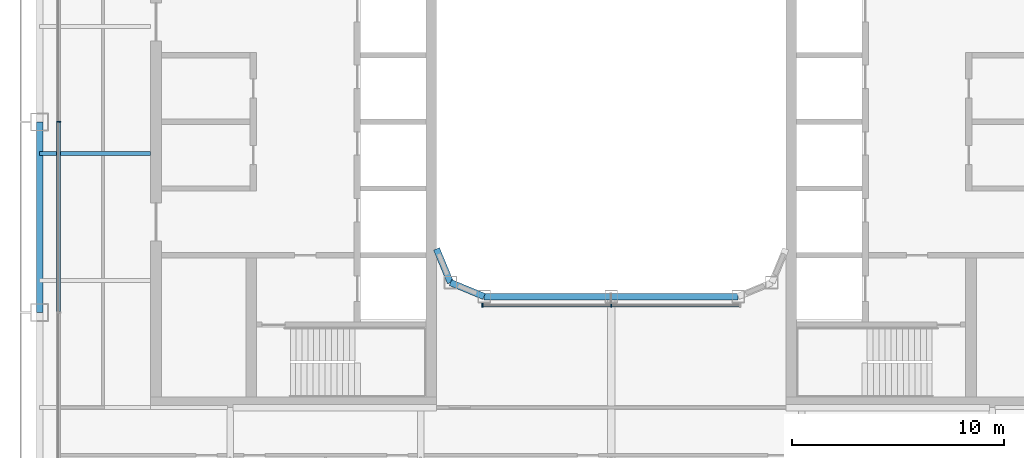
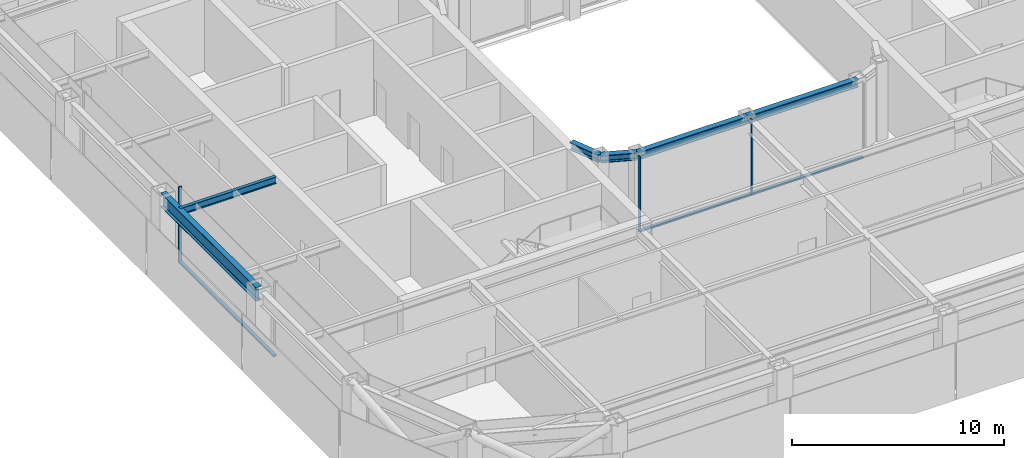
# One storey, part 3 of 19: 6 beams, 6 members, 2 elements without a shape of their own.
"""IFC4 building model written with IfcOpenShell, lengths in metres."""

from ifc_helpers import new_model, si_unit, direction, frame, origin, origin_2d, place, context, subcontext, project, spatial, rectangle, i_section, extrude, material, layer, layer_set, material_profile, profile_set, type_object, element, aggregate, save


model = new_model("IFC4")

# Units and contexts
model_context = context("Model", 3, precision=1e-05, world=origin(), true_north=direction((0.0, 1.0)))
body_context = subcontext(model_context, "Body", "Model", "MODEL_VIEW")
ifc_project = project(units=[si_unit("LENGTHUNIT", "METRE"), si_unit("AREAUNIT", "SQUARE_METRE"), si_unit("VOLUMEUNIT", "CUBIC_METRE"), si_unit("PLANEANGLEUNIT", "RADIAN"), si_unit("MASSUNIT", "GRAM", prefix="KILO")], contexts=[model_context])

# Site, building, storey
site_placement = place(None, origin())
site = spatial("IfcSite", under=ifc_project, at=site_placement, CompositionType="ELEMENT")
building_placement = place(site_placement, origin())
building = spatial("IfcBuilding", under=site, at=building_placement, Name="Siwar Civic Tower", CompositionType="ELEMENT")
storey_placement = place(building_placement, frame((0.0, 0.0, 228.699951171875)))
storey = spatial("IfcBuildingStorey", under=building, at=storey_placement, Name="L49", CompositionType="ELEMENT", Elevation=228.699951171875)

# Curtain wall, member
ifc_material_1 = material(Name="Aluminium and glass", Category="aluminium")
ifc_layer_1 = layer(ifc_material_1, 0.179931640625)
ifc_layer_set_1 = layer_set([ifc_layer_1], Name="Aluminium and glass")
curtain_wall_type_1 = type_object("IfcCurtainWallType", Name="ENV-CW-C", PredefinedType="NOTDEFINED", material=ifc_layer_set_1)
curtain_wall_1_placement = place(storey_placement, origin())
curtain_wall_1 = element("IfcCurtainWall", 1, at=curtain_wall_1_placement, inside=storey, type_object=curtain_wall_type_1, Name="Curtain wall C W", PredefinedType="NOTDEFINED")
ifc_material_2 = material(Name="Aluminium 6063-T6", Category="aluminium")
ifc_material_profile_1 = material_profile(ifc_material_2, rectangle(XDim=0.179931640625, YDim=0.06005859375, at=origin_2d()), Name="AL 180x60")
ifc_profile_set_1 = profile_set([ifc_material_profile_1], Name="Aluminium 6063-T6")
member_type_1 = type_object("IfcMemberType", Name="ENV-MULLION-C", PredefinedType="MULLION", material=ifc_profile_set_1)
member_1_placement = place(storey_placement, frame((-26.10009765625, 0.0, 0.0), z_axis=(0.0, 0.0, 1.0), x_axis=(1.0, 0.0, 0.0)))
member_1 = element("IfcMember", 2, at=member_1_placement, type_object=member_type_1, Name="Mullion C W 3", PredefinedType="MULLION", context=body_context, shape_type="SweptSolid", body=[
    extrude(rectangle(XDim=0.179931640625, YDim=0.06005859375, at=origin_2d()), origin(), (0.0, 0.0, 1.0), 4.35009765625),
])

# Curtain wall, members
ifc_material_3 = material(Name="Aluminium and glass", Category="aluminium")
ifc_layer_2 = layer(ifc_material_3, 0.179931640625)
ifc_layer_set_2 = layer_set([ifc_layer_2], Name="Aluminium and glass")
curtain_wall_type_2 = type_object("IfcCurtainWallType", Name="ENV-CW-W", PredefinedType="NOTDEFINED", material=ifc_layer_set_2)
curtain_wall_2_placement = place(storey_placement, origin())
curtain_wall_2 = element("IfcCurtainWall", 3, at=curtain_wall_2_placement, inside=storey, type_object=curtain_wall_type_2, Name="Curtain wall W WS", PredefinedType="NOTDEFINED")
ifc_material_4 = material(Name="Aluminium 6063-T6", Category="aluminium")
ifc_material_profile_2 = material_profile(ifc_material_4, rectangle(XDim=0.179931640625, YDim=0.06005859375, at=origin_2d()), Name="AL 180x60")
ifc_profile_set_2 = profile_set([ifc_material_profile_2], Name="Aluminium 6063-T6")
member_type_2 = type_object("IfcMemberType", Name="ENV-MULLION-W", PredefinedType="MULLION", material=ifc_profile_set_2)
member_2_placement = place(storey_placement, frame((-6.08154296875, -8.659912109375, 0.0), z_axis=(0.0, 0.0, 1.0), x_axis=(0.0, 1.0, 0.0)))
member_2 = element("IfcMember", 4, at=member_2_placement, type_object=member_type_2, Name="Mullion W WS 1", PredefinedType="MULLION", context=body_context, shape_type="SweptSolid", body=[
    extrude(rectangle(XDim=0.179931640625, YDim=0.06005859375, at=origin_2d()), origin(), (0.0, 0.0, 1.0), 4.35009765625),
])
member_3_placement = place(storey_placement, frame((0.0, -8.659912109375, 0.0), z_axis=(0.0, 0.0, 1.0), x_axis=(0.0, 1.0, 0.0)))
member_3 = element("IfcMember", 5, at=member_3_placement, type_object=member_type_2, Name="Mullion W WS 2", PredefinedType="MULLION", context=body_context, shape_type="SweptSolid", body=[
    extrude(rectangle(XDim=0.179931640625, YDim=0.06005859375, at=origin_2d()), origin(), (0.0, 0.0, 1.0), 4.35009765625),
])

# Member
ifc_material_5 = material(Name="Aluminium 6063-T6", Category="aluminium")
ifc_material_profile_3 = material_profile(ifc_material_5, rectangle(XDim=0.179931640625, YDim=0.10009765625, at=origin_2d()), Name="AL 180x100")
ifc_profile_set_3 = profile_set([ifc_material_profile_3], Name="Aluminium 6063-T6")
member_type_3 = type_object("IfcMemberType", Name="ENV-TRANSOM-C", PredefinedType="USERDEFINED", material=ifc_profile_set_3)
member_4_placement = place(storey_placement, frame((-26.10009765625, -0.030029296875, 0.050048828125), z_axis=(0.0, -1.0, 0.0), x_axis=(1.0, 0.0, 0.0)))
member_4 = element("IfcMember", 6, at=member_4_placement, type_object=member_type_3, Name="Transom C W 3", ObjectType="TRANSOM", PredefinedType="USERDEFINED", context=body_context, shape_type="SweptSolid", body=[
    extrude(rectangle(XDim=0.179931640625, YDim=0.10009765625, at=origin_2d()), origin(), (0.0, 0.0, 1.0), 8.93994140625),
])

aggregate(curtain_wall_1, [member_1, member_4])

ifc_material_6 = material(Name="Aluminium 6063-T6", Category="aluminium")
ifc_material_profile_4 = material_profile(ifc_material_6, rectangle(XDim=0.179931640625, YDim=0.10009765625, at=origin_2d()), Name="AL 180x100")
ifc_profile_set_4 = profile_set([ifc_material_profile_4], Name="Aluminium 6063-T6")
member_type_4 = type_object("IfcMemberType", Name="ENV-TRANSOM-W", PredefinedType="USERDEFINED", material=ifc_profile_set_4)
member_5_placement = place(storey_placement, frame((-6.051513671875, -8.659912109375, 0.050048828125), z_axis=(1.0, 0.0, 0.0), x_axis=(0.0, 1.0, 0.0)))
member_5 = element("IfcMember", 7, at=member_5_placement, type_object=member_type_4, Name="Transom W WS 1", ObjectType="TRANSOM", PredefinedType="USERDEFINED", context=body_context, shape_type="SweptSolid", body=[
    extrude(rectangle(XDim=0.179931640625, YDim=0.10009765625, at=origin_2d()), origin(), (0.0, 0.0, 1.0), 6.021484375),
])

member_6_placement = place(storey_placement, frame((0.030029296875, -8.659912109375, 0.050048828125), z_axis=(1.0, 0.0, 0.0), x_axis=(0.0, 1.0, 0.0)))
member_6 = element("IfcMember", 8, at=member_6_placement, type_object=member_type_4, Name="Transom W WS 2", ObjectType="TRANSOM", PredefinedType="USERDEFINED", context=body_context, shape_type="SweptSolid", body=[
    extrude(rectangle(XDim=0.179931640625, YDim=0.10009765625, at=origin_2d()), origin(), (0.0, 0.0, 1.0), 6.021484375),
])

aggregate(curtain_wall_2, [member_2, member_3, member_5, member_6])

# Beams
ifc_material_7 = material(Name="Steel S355", Category="steel")
ifc_material_profile_5 = material_profile(ifc_material_7, i_section(OverallWidth=0.179931640625, OverallDepth=0.39990234375, WebThickness=0.008544921875, FlangeThickness=0.013427734375, FilletRadius=0.02099609375, at=origin_2d()), Name="IPE400")
ifc_profile_set_5 = profile_set([ifc_material_profile_5], Name="Steel S355")
beam_type_1 = type_object("IfcBeamType", Name="STR-FB-IPE400", PredefinedType="JOIST", material=ifc_profile_set_5)
beam_1_placement = place(storey_placement, frame((-27.0, -1.5, 4.150146484375), z_axis=(1.0, 0.0, 0.0), x_axis=(0.0, 1.0, 0.0)))
element("IfcBeam", 9, at=beam_1_placement, inside=storey, type_object=beam_type_1, Name="L49/bm/F023", PredefinedType="JOIST", context=body_context, shape_type="SweptSolid", body=[
    extrude(i_section(OverallWidth=0.179931640625, OverallDepth=0.39990234375, WebThickness=0.008544921875, FlangeThickness=0.013427734375, FilletRadius=0.02099609375, at=origin_2d()), origin(), (0.0, 0.0, 1.0), 5.25),
])
ifc_material_8 = material(Name="Steel S355", Category="steel")
ifc_material_profile_6 = material_profile(ifc_material_8, i_section(OverallWidth=0.306884765625, OverallDepth=0.431884765625, WebThickness=0.02099609375, FlangeThickness=0.0400390625, FilletRadius=0.027099609375, at=origin_2d()), Name="HEM400")
ifc_profile_set_6 = profile_set([ifc_material_profile_6], Name="Steel S355")
beam_type_2 = type_object("IfcBeamType", Name="STR-RB-HEM400", PredefinedType="BEAM", material=ifc_profile_set_6)
beam_2_placement = place(storey_placement, frame((-7.591064453125, -7.591064453125, 4.134033203125), z_axis=(0.923901072997, -0.382631424892, 0.0), x_axis=(0.382631424892, 0.923901072997, 0.0)))
element("IfcBeam", 10, at=beam_2_placement, inside=storey, type_object=beam_type_2, Name="L49/bm/RS0", PredefinedType="BEAM", context=body_context, shape_type="SweptSolid", body=[
    extrude(i_section(OverallWidth=0.306884765625, OverallDepth=0.431884765625, WebThickness=0.02099609375, FlangeThickness=0.0400390625, FilletRadius=0.027099609375, at=origin_2d()), origin(), (0.0, 0.0, 1.0), 1.72216796875),
])
for number, where, z_axis, x_axis, name in (
    (11, (-6.0, -8.25, 4.134033203125), (1.0, 0.0, 0.0), (0.0, 1.0, 0.0), "L49/bm/RS1"),
    (12, (0.0, -8.25, 4.134033203125), (1.0, 0.0, 0.0), (0.0, 1.0, 0.0), "L49/bm/RS2"),
):
    element("IfcBeam", number, at=place(storey_placement, frame(where, z_axis=z_axis, x_axis=x_axis)), inside=storey, type_object=beam_type_2, Name=name, PredefinedType="BEAM", context=body_context, shape_type="SweptSolid", body=[
        extrude(i_section(OverallWidth=0.306884765625, OverallDepth=0.431884765625, WebThickness=0.02099609375, FlangeThickness=0.0400390625, FilletRadius=0.027099609375, at=origin_2d()), origin(), (0.0, 0.0, 1.0), 6.0),
    ])
beam_3_placement = place(storey_placement, frame((-7.591064453125, -7.591064453125, 4.134033203125), z_axis=(-0.382631424892, 0.923901072997, 0.0), x_axis=(-0.923901072997, -0.382631424892, 0.0)))
element("IfcBeam", 13, at=beam_3_placement, inside=storey, type_object=beam_type_2, Name="L49/bm/RSEW", PredefinedType="BEAM", context=body_context, shape_type="SweptSolid", body=[
    extrude(i_section(OverallWidth=0.306884765625, OverallDepth=0.431884765625, WebThickness=0.02099609375, FlangeThickness=0.0400390625, FilletRadius=0.027099609375, at=origin_2d()), origin(), (0.0, 0.0, 1.0), 1.72216796875),
])
ifc_material_9 = material(Name="Steel S355", Category="steel")
ifc_material_profile_7 = material_profile(ifc_material_9, i_section(OverallWidth=0.300048828125, OverallDepth=0.800048828125, WebThickness=0.017578125, FlangeThickness=0.032958984375, FilletRadius=0.030029296875, at=origin_2d()), Name="HEB800")
ifc_profile_set_7 = profile_set([ifc_material_profile_7], Name="Steel S355")
beam_type_3 = type_object("IfcBeamType", Name="STR-SB-HEB800", PredefinedType="BEAM", material=ifc_profile_set_7)
beam_4_placement = place(storey_placement, frame((-27.0, 0.0, 3.949951171875), z_axis=(0.0, -1.0, 0.0), x_axis=(1.0, 0.0, 0.0)))
element("IfcBeam", 14, at=beam_4_placement, inside=storey, type_object=beam_type_3, Name="L49/bm/SW-2", PredefinedType="BEAM", context=body_context, shape_type="SweptSolid", body=[
    extrude(i_section(OverallWidth=0.300048828125, OverallDepth=0.800048828125, WebThickness=0.017578125, FlangeThickness=0.032958984375, FilletRadius=0.030029296875, at=origin_2d()), origin(), (0.0, 0.0, 1.0), 9.0),
])

save(model, "model.ifc")
